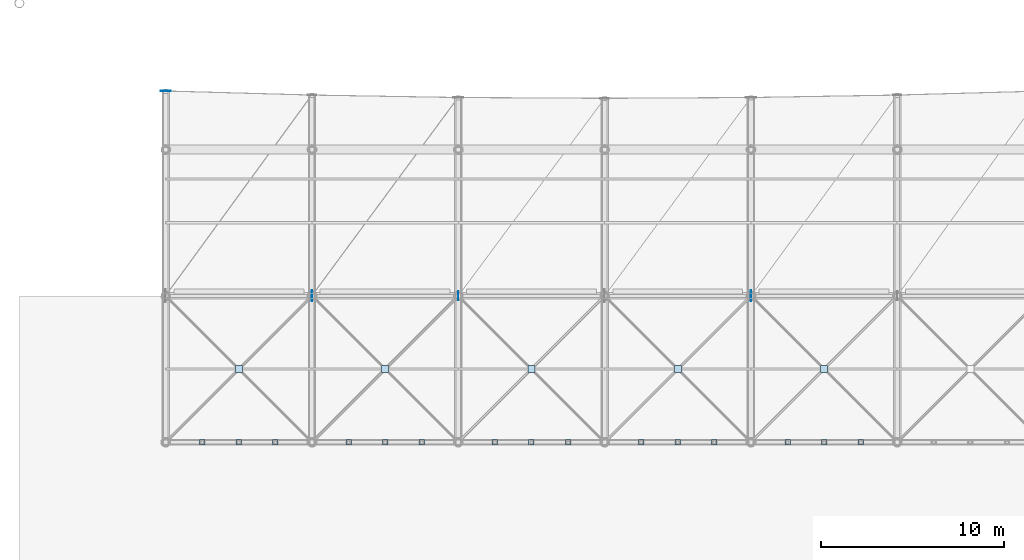
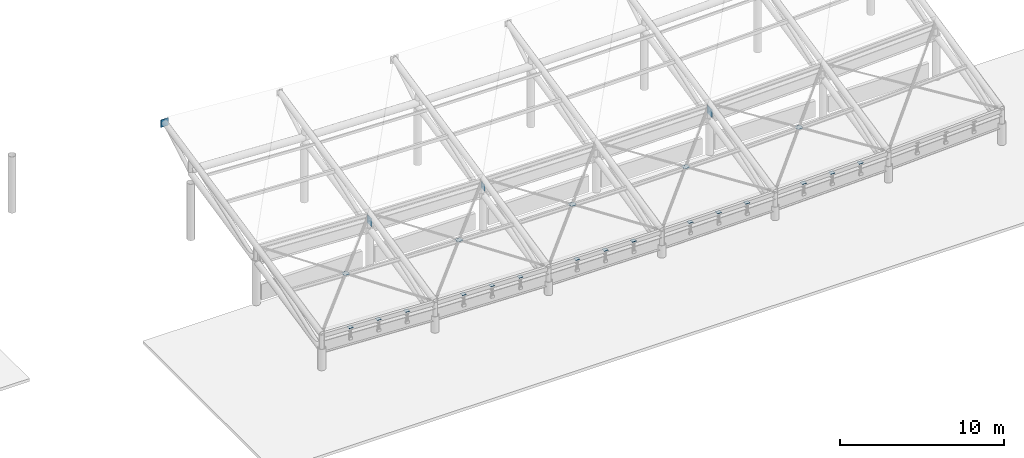
# One storey, part 46 of 78: 24 plates.
"""IFC4 building model written with IfcOpenShell, lengths in metres."""

from ifc_helpers import new_model, si_unit, direction, frame, origin, origin_2d, place, context, subcontext, project, spatial, rectangle, extrude, material, layer, layer_set, type_object, element, save


model = new_model("IFC4")

# Units and contexts
model_context = context("Model", 3, precision=1e-05, world=origin(), true_north=direction((0.0, 1.0)))
body_context = subcontext(model_context, "Body", "Model", "MODEL_VIEW")
ifc_project = project(units=[si_unit("LENGTHUNIT", "METRE"), si_unit("AREAUNIT", "SQUARE_METRE"), si_unit("VOLUMEUNIT", "CUBIC_METRE"), si_unit("PLANEANGLEUNIT", "RADIAN"), si_unit("MASSUNIT", "GRAM", prefix="KILO")], contexts=[model_context])

# Site, building, storey
site_placement = place(None, origin())
site = spatial("IfcSite", under=ifc_project, at=site_placement, CompositionType="ELEMENT")
building_placement = place(site_placement, origin())
building = spatial("IfcBuilding", under=site, at=building_placement, Name="Haebicheon Civic Stadium", CompositionType="ELEMENT")
storey_placement = place(building_placement, frame((0.0, 0.0, 18.60009765625)))
storey = spatial("IfcBuildingStorey", under=building, at=storey_placement, Name="L05", CompositionType="ELEMENT", Elevation=18.60009765625)

# Plates
ifc_material_1 = material(Name="White painted steel SM490", Category="steel")
ifc_layer_1 = layer(ifc_material_1, 0.013916015625, Name="White painted steel SM490")
ifc_layer_set_1 = layer_set([ifc_layer_1], Name="White painted steel SM490")
plate_type_1 = type_object("IfcPlateType", Name="PLT-CAP-14", PredefinedType="SHEET", material=ifc_layer_set_1)
for number, where, z_axis, x_axis, name in (
    (1, (82.0, 24.0, 2.38818359375), (0.0, 0.0, 1.0), (1.0, 0.0, 0.0), "CAN-SOUTH hanger clevis cap plate 1.1"),
    (2, (84.0, 24.0, 2.2958984375), (0.0, 0.0, 1.0), (1.0, 0.0, 0.0), "CAN-SOUTH hanger clevis cap plate 1.2"),
    (3, (86.0, 24.0, 2.205078125), (0.0, 0.0, 1.0), (1.0, 0.0, 0.0), "CAN-SOUTH hanger clevis cap plate 1.3"),
    (4, (90.0, 24.0, 2.05810546875), (0.0, 0.0, 1.0), (1.0, 0.0, 0.0), "CAN-SOUTH hanger clevis cap plate 2.1"),
    (5, (92.0, 24.0, 2.0029296875), (0.0, 0.0, 1.0), (1.0, 0.0, 0.0), "CAN-SOUTH hanger clevis cap plate 2.2"),
    (6, (94.0, 24.0, 1.94775390625), (0.0, 0.0, 1.0), (1.0, 0.0, 0.0), "CAN-SOUTH hanger clevis cap plate 2.3"),
    (7, (98.0, 24.0, 1.875), (0.0, 0.0, 1.0), (1.0, 0.0, 0.0), "CAN-SOUTH hanger clevis cap plate 3.1"),
    (8, (100.0, 24.0, 1.85693359375), (0.0, 0.0, 1.0), (1.0, 0.0, 0.0), "CAN-SOUTH hanger clevis cap plate 3.2"),
    (9, (102.0, 24.0, 1.837890625), (0.0, 0.0, 1.0), (1.0, 0.0, 0.0), "CAN-SOUTH hanger clevis cap plate 3.3"),
    (10, (106.0, 24.0, 1.837890625), (0.0, 0.0, 1.0), (1.0, 0.0, 0.0), "CAN-SOUTH hanger clevis cap plate 4.1"),
    (11, (108.0, 24.0, 1.85693359375), (0.0, 0.0, 1.0), (1.0, 0.0, 0.0), "CAN-SOUTH hanger clevis cap plate 4.2"),
    (12, (110.0, 24.0, 1.875), (0.0, 0.0, 1.0), (1.0, 0.0, 0.0), "CAN-SOUTH hanger clevis cap plate 4.3"),
    (13, (114.0, 24.0, 1.94775390625), (0.0, 0.0, 1.0), (1.0, 0.0, 0.0), "CAN-SOUTH hanger clevis cap plate 5.1"),
    (14, (116.0, 24.0, 2.0029296875), (0.0, 0.0, 1.0), (1.0, 0.0, 0.0), "CAN-SOUTH hanger clevis cap plate 5.2"),
    (15, (118.0, 24.0, 2.05810546875), (0.0, 0.0, 1.0), (1.0, 0.0, 0.0), "CAN-SOUTH hanger clevis cap plate 5.3"),
):
    element("IfcPlate", number, at=place(storey_placement, frame(where, z_axis=z_axis, x_axis=x_axis)), inside=storey, type_object=plate_type_1, material=ifc_layer_set_1, Name=name, PredefinedType="SHEET", context=body_context, shape_type="SweptSolid", body=[
        extrude(rectangle(XDim=0.300048828125, YDim=0.300048828125, at=origin_2d()), origin(), (0.0, 0.0, 1.0), 0.013916015625),
    ])
ifc_material_2 = material(Name="White painted steel SM490", Category="steel")
ifc_layer_2 = layer(ifc_material_2, 0.02587890625, Name="White painted steel SM490")
ifc_layer_set_2 = layer_set([ifc_layer_2], Name="White painted steel SM490")
plate_type_2 = type_object("IfcPlateType", Name="PLT-CAP-26", PredefinedType="SHEET", material=ifc_layer_set_2)
plate_1_placement = place(storey_placement, frame((80.0, 43.199951171875, 6.434814453125), z_axis=(0.0, 0.0, 1.0), x_axis=(-1.0, 0.0, 0.0)))
element("IfcPlate", 16, at=plate_1_placement, inside=storey, type_object=plate_type_2, material=ifc_layer_set_2, Name="CAN-SOUTH tip end-cap plate 1", PredefinedType="SHEET", context=body_context, shape_type="SweptSolid", body=[
    extrude(rectangle(XDim=0.56005859375, YDim=0.02587890625, at=origin_2d()), origin(), (0.0, 0.0, 1.0), 0.56005859375),
])
ifc_material_3 = material(Name="White painted steel SM490", Category="steel")
ifc_layer_3 = layer(ifc_material_3, 0.01806640625, Name="White painted steel SM490")
ifc_layer_set_3 = layer_set([ifc_layer_3], Name="White painted steel SM490")
plate_type_3 = type_object("IfcPlateType", Name="PLT-GUS-18", PredefinedType="USERDEFINED", material=ifc_layer_set_3)
plate_2_placement = place(storey_placement, frame((96.0, 32.0, 2.89501953125), z_axis=(0.0, 0.0, 1.0), x_axis=(0.0, 1.0, 0.0)))
element("IfcPlate", 17, at=plate_2_placement, inside=storey, type_object=plate_type_3, material=ifc_layer_set_3, Name="CAN-SOUTH heel node gusset plate KN-H03", ObjectType="GUSSET PLATE", PredefinedType="USERDEFINED", context=body_context, shape_type="SweptSolid", body=[
    extrude(rectangle(XDim=0.5, YDim=0.01806640625, at=origin_2d()), origin(), (0.0, 0.0, 1.0), 0.5),
])
ifc_material_4 = material(Name="White painted steel SM490", Category="steel")
ifc_layer_4 = layer(ifc_material_4, 0.02392578125, Name="White painted steel SM490")
ifc_layer_set_4 = layer_set([ifc_layer_4], Name="White painted steel SM490")
plate_type_4 = type_object("IfcPlateType", Name="PLT-GUS-24", PredefinedType="USERDEFINED", material=ifc_layer_set_4)
for number, where, z_axis, x_axis, name in (
    (18, (88.0, 32.0, 3.06494140625), (0.0, 0.0, 1.0), (0.0, 1.0, 0.0), "CAN-SOUTH heel node gusset plate KN-H02"),
    (19, (112.0, 32.0, 2.844970703125), (0.0, 0.0, 1.0), (0.0, 1.0, 0.0), "CAN-SOUTH heel node gusset plate KN-H05"),
):
    element("IfcPlate", number, at=place(storey_placement, frame(where, z_axis=z_axis, x_axis=x_axis)), inside=storey, type_object=plate_type_4, material=ifc_layer_set_4, Name=name, ObjectType="GUSSET PLATE", PredefinedType="USERDEFINED", context=body_context, shape_type="SweptSolid", body=[
        extrude(rectangle(XDim=0.60009765625, YDim=0.02392578125, at=origin_2d()), origin(), (0.0, 0.0, 1.0), 0.60009765625),
    ])
ifc_material_5 = material(Name="White painted steel SM490", Category="steel")
ifc_layer_5 = layer(ifc_material_5, 0.013916015625, Name="White painted steel SM490")
ifc_layer_set_5 = layer_set([ifc_layer_5], Name="White painted steel SM490")
plate_type_5 = type_object("IfcPlateType", Name="PLT-XND-14", PredefinedType="SHEET", material=ifc_layer_set_5)
for number, where, z_axis, x_axis, name in (
    (20, (84.0, 28.0, 3.2568359375), (0.0, 0.0, 1.0), (1.0, 0.0, 0.0), "CAN-SOUTH X-brace crossing gusset plate 1"),
    (21, (92.0, 28.0, 2.962890625), (0.0, 0.0, 1.0), (1.0, 0.0, 0.0), "CAN-SOUTH X-brace crossing gusset plate 2"),
    (22, (100.0, 28.0, 2.81689453125), (0.0, 0.0, 1.0), (1.0, 0.0, 0.0), "CAN-SOUTH X-brace crossing gusset plate 3"),
    (23, (108.0, 28.0, 2.81689453125), (0.0, 0.0, 1.0), (1.0, 0.0, 0.0), "CAN-SOUTH X-brace crossing gusset plate 4"),
    (24, (116.0, 28.0, 2.962890625), (0.0, 0.0, 1.0), (1.0, 0.0, 0.0), "CAN-SOUTH X-brace crossing gusset plate 5"),
):
    element("IfcPlate", number, at=place(storey_placement, frame(where, z_axis=z_axis, x_axis=x_axis)), inside=storey, type_object=plate_type_5, material=ifc_layer_set_5, Name=name, PredefinedType="SHEET", context=body_context, shape_type="SweptSolid", body=[
        extrude(rectangle(XDim=0.3798828125, YDim=0.3798828125, at=origin_2d()), origin(), (0.0, 0.0, 1.0), 0.013916015625),
    ])

save(model, "model.ifc")
